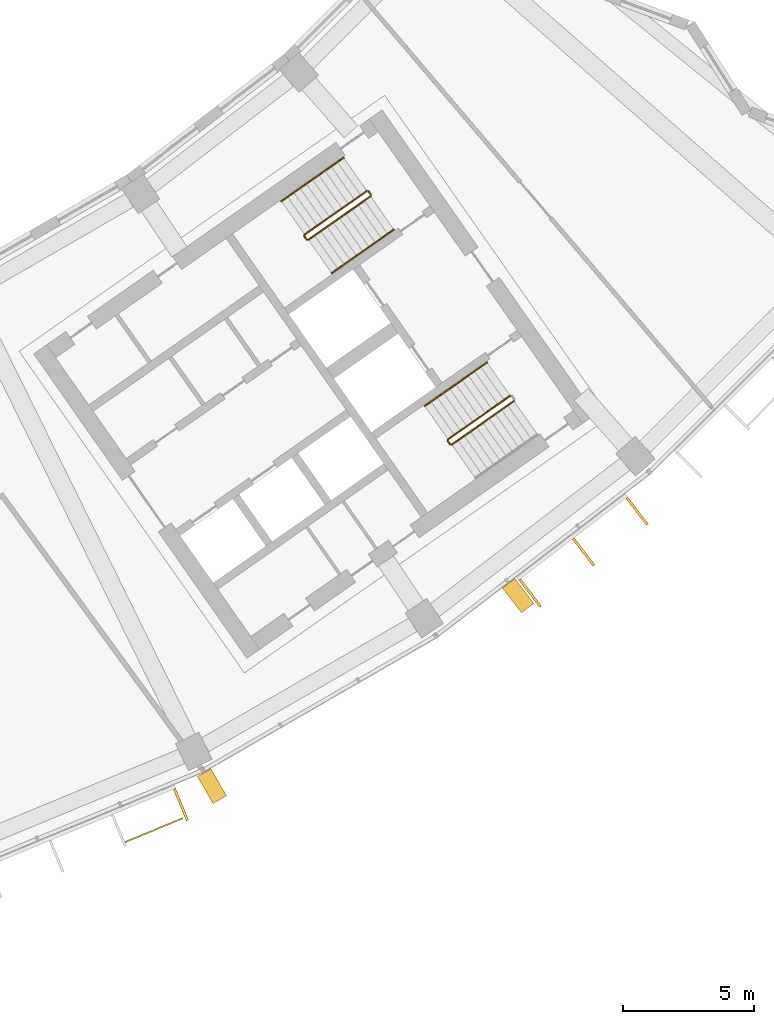
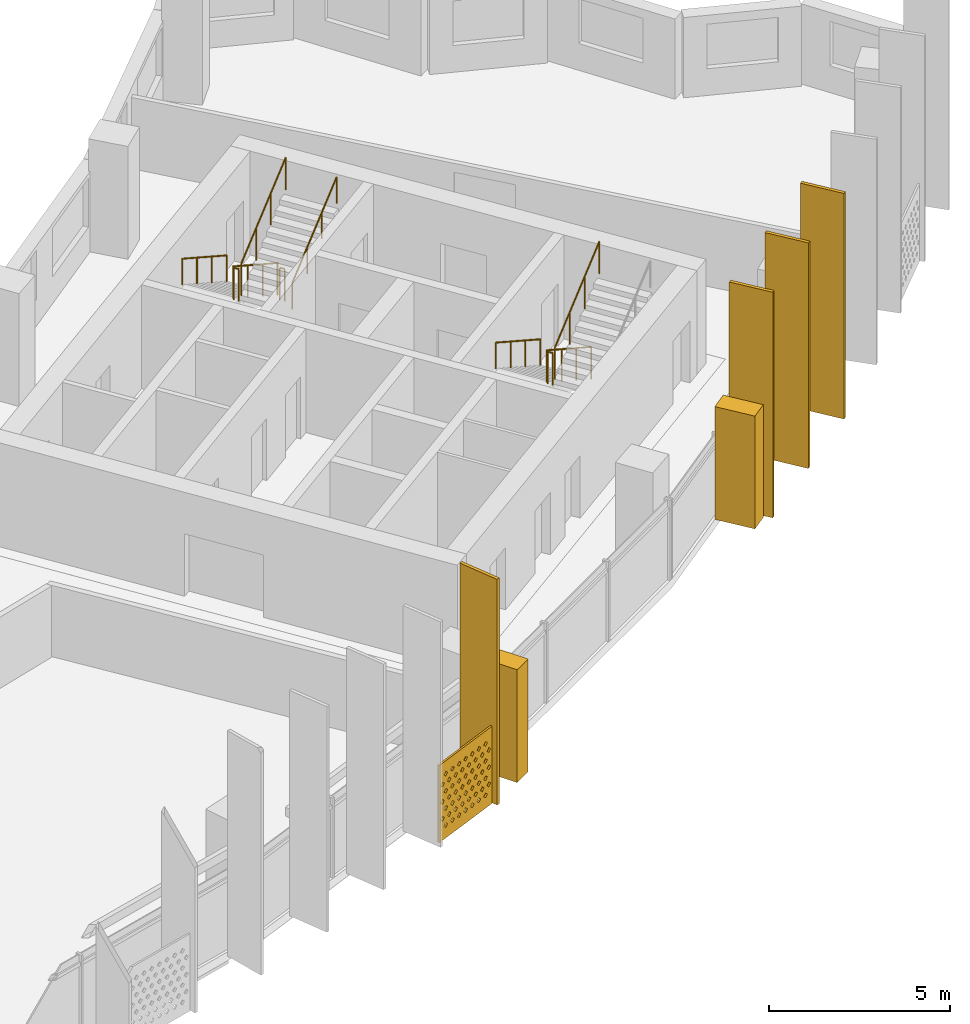
# One storey, part 27 of 28: 8 railings, 7 shading devices.
"""IFC4 building model written with IfcOpenShell, lengths in metres."""

from ifc_helpers import new_model, si_unit, direction, frame, origin, origin_2d, place, context, subcontext, project, spatial, polyline, rectangle, circle, outline, extrude, material, material_profile, profile_set, type_object, element, save


model = new_model("IFC4")

# Units and contexts
model_context = context("Model", 3, precision=1e-05, world=origin(), true_north=direction((0.0, 1.0)))
body_context = subcontext(model_context, "Body", "Model", "MODEL_VIEW")
ifc_project = project(units=[si_unit("LENGTHUNIT", "METRE"), si_unit("AREAUNIT", "SQUARE_METRE"), si_unit("VOLUMEUNIT", "CUBIC_METRE"), si_unit("PLANEANGLEUNIT", "RADIAN"), si_unit("MASSUNIT", "GRAM", prefix="KILO")], contexts=[model_context])

# Site, building, storey
site_placement = place(None, origin())
site = spatial("IfcSite", under=ifc_project, at=site_placement, CompositionType="ELEMENT")
building_placement = place(site_placement, origin())
building = spatial("IfcBuilding", under=site, at=building_placement, Name="Qamariyya Broadcast Tower", CompositionType="ELEMENT")
storey_placement = place(building_placement, frame((0.0, 0.0, 234.10009765625)))
storey = spatial("IfcBuildingStorey", under=building, at=storey_placement, Name="L56", CompositionType="ELEMENT", Elevation=234.10009765625)

# Shading devices
ifc_material_1 = material(Name="Steel S355 powder coated deep red", Category="steel")
shading_device_type_1 = type_object("IfcShadingDeviceType", Name="Deep red frame, powder coated steel box section", PredefinedType="USERDEFINED", material=ifc_material_1)
shading_device_1_placement = place(storey_placement, origin())
element("IfcShadingDevice", 1, at=shading_device_1_placement, inside=storey, type_object=shading_device_type_1, Name="e-frm-B4-F3-posta-L56", ObjectType="FRAME", PredefinedType="USERDEFINED", context=body_context, shape_type="SweptSolid", body=[
    extrude(outline(polyline([(34.526123046875, -70.68896484375), (35.126220703125, -71.728271484375), (35.645751953125, -71.42822265625), (35.0458984375, -70.38916015625), (34.526123046875, -70.68896484375)])), origin(), (0.0, 0.0, 1.0), 3.7998046875),
])
shading_device_2_placement = place(storey_placement, origin())
element("IfcShadingDevice", 2, at=shading_device_2_placement, inside=storey, type_object=shading_device_type_1, Name="e-frm-B4-F3-postb-L56", ObjectType="FRAME", PredefinedType="USERDEFINED", context=body_context, shape_type="SweptSolid", body=[
    extrude(outline(polyline([(46.17822265625, -63.489990234375), (46.90869140625, -64.442138671875), (47.384765625, -64.076904296875), (46.654296875, -63.124755859375), (46.17822265625, -63.489990234375)])), origin(), (0.0, 0.0, 1.0), 3.7998046875),
])
ifc_material_2 = material(Name="Perforated glazed terracotta", Category="masonry")
ifc_material_profile_1 = material_profile(ifc_material_2, outline(polyline([(-1.199951171875, -1.300048828125), (1.199951171875, -1.300048828125), (1.199951171875, 1.300048828125), (-1.199951171875, 1.300048828125), (-1.199951171875, -1.300048828125)]), holes=[polyline([(-0.81494140625, -0.86669921875), (-0.89990234375, -0.78173828125), (-0.985107421875, -0.86669921875), (-0.89990234375, -0.95166015625), (-0.81494140625, -0.86669921875)]), polyline([(-0.514892578125, -0.86669921875), (-0.60009765625, -0.78173828125), (-0.68505859375, -0.86669921875), (-0.60009765625, -0.95166015625), (-0.514892578125, -0.86669921875)]), polyline([(-0.215087890625, -0.86669921875), (-0.300048828125, -0.78173828125), (-0.385009765625, -0.86669921875), (-0.300048828125, -0.95166015625), (-0.215087890625, -0.86669921875)]), polyline([(0.0849609375, -0.86669921875), (0.0, -0.78173828125), (-0.0849609375, -0.86669921875), (0.0, -0.95166015625), (0.0849609375, -0.86669921875)]), polyline([(0.385009765625, -0.86669921875), (0.300048828125, -0.78173828125), (0.215087890625, -0.86669921875), (0.300048828125, -0.95166015625), (0.385009765625, -0.86669921875)]), polyline([(0.68505859375, -0.86669921875), (0.60009765625, -0.78173828125), (0.514892578125, -0.86669921875), (0.60009765625, -0.95166015625), (0.68505859375, -0.86669921875)]), polyline([(0.985107421875, -0.86669921875), (0.89990234375, -0.78173828125), (0.81494140625, -0.86669921875), (0.89990234375, -0.95166015625), (0.985107421875, -0.86669921875)]), polyline([(-0.965087890625, -0.577880859375), (-1.050048828125, -0.49267578125), (-1.135009765625, -0.577880859375), (-1.050048828125, -0.662841796875), (-0.965087890625, -0.577880859375)]), polyline([(-0.6650390625, -0.577880859375), (-0.75, -0.49267578125), (-0.8349609375, -0.577880859375), (-0.75, -0.662841796875), (-0.6650390625, -0.577880859375)]), polyline([(-0.364990234375, -0.577880859375), (-0.449951171875, -0.49267578125), (-0.534912109375, -0.577880859375), (-0.449951171875, -0.662841796875), (-0.364990234375, -0.577880859375)]), polyline([(-0.06494140625, -0.577880859375), (-0.14990234375, -0.49267578125), (-0.235107421875, -0.577880859375), (-0.14990234375, -0.662841796875), (-0.06494140625, -0.577880859375)]), polyline([(0.235107421875, -0.577880859375), (0.14990234375, -0.49267578125), (0.06494140625, -0.577880859375), (0.14990234375, -0.662841796875), (0.235107421875, -0.577880859375)]), polyline([(0.534912109375, -0.577880859375), (0.449951171875, -0.49267578125), (0.364990234375, -0.577880859375), (0.449951171875, -0.662841796875), (0.534912109375, -0.577880859375)]), polyline([(0.8349609375, -0.577880859375), (0.75, -0.49267578125), (0.6650390625, -0.577880859375), (0.75, -0.662841796875), (0.8349609375, -0.577880859375)]), polyline([(1.135009765625, -0.577880859375), (1.050048828125, -0.49267578125), (0.965087890625, -0.577880859375), (1.050048828125, -0.662841796875), (1.135009765625, -0.577880859375)]), polyline([(-0.81494140625, -0.288818359375), (-0.89990234375, -0.203857421875), (-0.985107421875, -0.288818359375), (-0.89990234375, -0.373779296875), (-0.81494140625, -0.288818359375)]), polyline([(-0.514892578125, -0.288818359375), (-0.60009765625, -0.203857421875), (-0.68505859375, -0.288818359375), (-0.60009765625, -0.373779296875), (-0.514892578125, -0.288818359375)]), polyline([(-0.215087890625, -0.288818359375), (-0.300048828125, -0.203857421875), (-0.385009765625, -0.288818359375), (-0.300048828125, -0.373779296875), (-0.215087890625, -0.288818359375)]), polyline([(0.0849609375, -0.288818359375), (0.0, -0.203857421875), (-0.0849609375, -0.288818359375), (0.0, -0.373779296875), (0.0849609375, -0.288818359375)]), polyline([(0.385009765625, -0.288818359375), (0.300048828125, -0.203857421875), (0.215087890625, -0.288818359375), (0.300048828125, -0.373779296875), (0.385009765625, -0.288818359375)]), polyline([(0.68505859375, -0.288818359375), (0.60009765625, -0.203857421875), (0.514892578125, -0.288818359375), (0.60009765625, -0.373779296875), (0.68505859375, -0.288818359375)]), polyline([(0.985107421875, -0.288818359375), (0.89990234375, -0.203857421875), (0.81494140625, -0.288818359375), (0.89990234375, -0.373779296875), (0.985107421875, -0.288818359375)]), polyline([(-0.965087890625, 0.0), (-1.050048828125, 0.0849609375), (-1.135009765625, 0.0), (-1.050048828125, -0.0849609375), (-0.965087890625, 0.0)]), polyline([(-0.6650390625, 0.0), (-0.75, 0.0849609375), (-0.8349609375, 0.0), (-0.75, -0.0849609375), (-0.6650390625, 0.0)]), polyline([(-0.364990234375, 0.0), (-0.449951171875, 0.0849609375), (-0.534912109375, 0.0), (-0.449951171875, -0.0849609375), (-0.364990234375, 0.0)]), polyline([(-0.06494140625, 0.0), (-0.14990234375, 0.0849609375), (-0.235107421875, 0.0), (-0.14990234375, -0.0849609375), (-0.06494140625, 0.0)]), polyline([(0.235107421875, 0.0), (0.14990234375, 0.0849609375), (0.06494140625, 0.0), (0.14990234375, -0.0849609375), (0.235107421875, 0.0)]), polyline([(0.534912109375, 0.0), (0.449951171875, 0.0849609375), (0.364990234375, 0.0), (0.449951171875, -0.0849609375), (0.534912109375, 0.0)]), polyline([(0.8349609375, 0.0), (0.75, 0.0849609375), (0.6650390625, 0.0), (0.75, -0.0849609375), (0.8349609375, 0.0)]), polyline([(1.135009765625, 0.0), (1.050048828125, 0.0849609375), (0.965087890625, 0.0), (1.050048828125, -0.0849609375), (1.135009765625, 0.0)]), polyline([(-0.81494140625, 0.288818359375), (-0.89990234375, 0.373779296875), (-0.985107421875, 0.288818359375), (-0.89990234375, 0.203857421875), (-0.81494140625, 0.288818359375)]), polyline([(-0.514892578125, 0.288818359375), (-0.60009765625, 0.373779296875), (-0.68505859375, 0.288818359375), (-0.60009765625, 0.203857421875), (-0.514892578125, 0.288818359375)]), polyline([(-0.215087890625, 0.288818359375), (-0.300048828125, 0.373779296875), (-0.385009765625, 0.288818359375), (-0.300048828125, 0.203857421875), (-0.215087890625, 0.288818359375)]), polyline([(0.0849609375, 0.288818359375), (0.0, 0.373779296875), (-0.0849609375, 0.288818359375), (0.0, 0.203857421875), (0.0849609375, 0.288818359375)]), polyline([(0.385009765625, 0.288818359375), (0.300048828125, 0.373779296875), (0.215087890625, 0.288818359375), (0.300048828125, 0.203857421875), (0.385009765625, 0.288818359375)]), polyline([(0.68505859375, 0.288818359375), (0.60009765625, 0.373779296875), (0.514892578125, 0.288818359375), (0.60009765625, 0.203857421875), (0.68505859375, 0.288818359375)]), polyline([(0.985107421875, 0.288818359375), (0.89990234375, 0.373779296875), (0.81494140625, 0.288818359375), (0.89990234375, 0.203857421875), (0.985107421875, 0.288818359375)]), polyline([(-0.965087890625, 0.577880859375), (-1.050048828125, 0.662841796875), (-1.135009765625, 0.577880859375), (-1.050048828125, 0.49267578125), (-0.965087890625, 0.577880859375)]), polyline([(-0.6650390625, 0.577880859375), (-0.75, 0.662841796875), (-0.8349609375, 0.577880859375), (-0.75, 0.49267578125), (-0.6650390625, 0.577880859375)]), polyline([(-0.364990234375, 0.577880859375), (-0.449951171875, 0.662841796875), (-0.534912109375, 0.577880859375), (-0.449951171875, 0.49267578125), (-0.364990234375, 0.577880859375)]), polyline([(-0.06494140625, 0.577880859375), (-0.14990234375, 0.662841796875), (-0.235107421875, 0.577880859375), (-0.14990234375, 0.49267578125), (-0.06494140625, 0.577880859375)]), polyline([(0.235107421875, 0.577880859375), (0.14990234375, 0.662841796875), (0.06494140625, 0.577880859375), (0.14990234375, 0.49267578125), (0.235107421875, 0.577880859375)]), polyline([(0.534912109375, 0.577880859375), (0.449951171875, 0.662841796875), (0.364990234375, 0.577880859375), (0.449951171875, 0.49267578125), (0.534912109375, 0.577880859375)]), polyline([(0.8349609375, 0.577880859375), (0.75, 0.662841796875), (0.6650390625, 0.577880859375), (0.75, 0.49267578125), (0.8349609375, 0.577880859375)]), polyline([(1.135009765625, 0.577880859375), (1.050048828125, 0.662841796875), (0.965087890625, 0.577880859375), (1.050048828125, 0.49267578125), (1.135009765625, 0.577880859375)]), polyline([(-0.81494140625, 0.86669921875), (-0.89990234375, 0.95166015625), (-0.985107421875, 0.86669921875), (-0.89990234375, 0.78173828125), (-0.81494140625, 0.86669921875)]), polyline([(-0.514892578125, 0.86669921875), (-0.60009765625, 0.95166015625), (-0.68505859375, 0.86669921875), (-0.60009765625, 0.78173828125), (-0.514892578125, 0.86669921875)]), polyline([(-0.215087890625, 0.86669921875), (-0.300048828125, 0.95166015625), (-0.385009765625, 0.86669921875), (-0.300048828125, 0.78173828125), (-0.215087890625, 0.86669921875)]), polyline([(0.0849609375, 0.86669921875), (0.0, 0.95166015625), (-0.0849609375, 0.86669921875), (0.0, 0.78173828125), (0.0849609375, 0.86669921875)]), polyline([(0.385009765625, 0.86669921875), (0.300048828125, 0.95166015625), (0.215087890625, 0.86669921875), (0.300048828125, 0.78173828125), (0.385009765625, 0.86669921875)]), polyline([(0.68505859375, 0.86669921875), (0.60009765625, 0.95166015625), (0.514892578125, 0.86669921875), (0.60009765625, 0.78173828125), (0.68505859375, 0.86669921875)]), polyline([(0.985107421875, 0.86669921875), (0.89990234375, 0.95166015625), (0.81494140625, 0.86669921875), (0.89990234375, 0.78173828125), (0.985107421875, 0.86669921875)])]))
ifc_profile_set_1 = profile_set([ifc_material_profile_1], Name="Perforated glazed terracotta")
shading_device_type_2 = type_object("IfcShadingDeviceType", Name="Perforated terracotta screen 2400 x 2600", PredefinedType="USERDEFINED", material=ifc_profile_set_1)
shading_device_3_placement = place(storey_placement, frame((32.862548828125, -72.71044921875, 1.349853515625), z_axis=(0.382591441855, -0.923917630863, 0.0), x_axis=(0.923917630863, 0.382591441855, 0.0)))
element("IfcShadingDevice", 3, at=shading_device_3_placement, inside=storey, type_object=shading_device_type_2, Name="e-scr-L56-11-2", ObjectType="SCREEN", PredefinedType="USERDEFINED", context=body_context, shape_type="SweptSolid", body=[
    extrude(outline(polyline([(-1.199951171875, -1.300048828125), (1.199951171875, -1.300048828125), (1.199951171875, 1.300048828125), (-1.199951171875, 1.300048828125), (-1.199951171875, -1.300048828125)]), holes=[polyline([(-0.81494140625, -0.86669921875), (-0.89990234375, -0.78173828125), (-0.985107421875, -0.86669921875), (-0.89990234375, -0.95166015625), (-0.81494140625, -0.86669921875)]), polyline([(-0.514892578125, -0.86669921875), (-0.60009765625, -0.78173828125), (-0.68505859375, -0.86669921875), (-0.60009765625, -0.95166015625), (-0.514892578125, -0.86669921875)]), polyline([(-0.215087890625, -0.86669921875), (-0.300048828125, -0.78173828125), (-0.385009765625, -0.86669921875), (-0.300048828125, -0.95166015625), (-0.215087890625, -0.86669921875)]), polyline([(0.0849609375, -0.86669921875), (0.0, -0.78173828125), (-0.0849609375, -0.86669921875), (0.0, -0.95166015625), (0.0849609375, -0.86669921875)]), polyline([(0.385009765625, -0.86669921875), (0.300048828125, -0.78173828125), (0.215087890625, -0.86669921875), (0.300048828125, -0.95166015625), (0.385009765625, -0.86669921875)]), polyline([(0.68505859375, -0.86669921875), (0.60009765625, -0.78173828125), (0.514892578125, -0.86669921875), (0.60009765625, -0.95166015625), (0.68505859375, -0.86669921875)]), polyline([(0.985107421875, -0.86669921875), (0.89990234375, -0.78173828125), (0.81494140625, -0.86669921875), (0.89990234375, -0.95166015625), (0.985107421875, -0.86669921875)]), polyline([(-0.965087890625, -0.577880859375), (-1.050048828125, -0.49267578125), (-1.135009765625, -0.577880859375), (-1.050048828125, -0.662841796875), (-0.965087890625, -0.577880859375)]), polyline([(-0.6650390625, -0.577880859375), (-0.75, -0.49267578125), (-0.8349609375, -0.577880859375), (-0.75, -0.662841796875), (-0.6650390625, -0.577880859375)]), polyline([(-0.364990234375, -0.577880859375), (-0.449951171875, -0.49267578125), (-0.534912109375, -0.577880859375), (-0.449951171875, -0.662841796875), (-0.364990234375, -0.577880859375)]), polyline([(-0.06494140625, -0.577880859375), (-0.14990234375, -0.49267578125), (-0.235107421875, -0.577880859375), (-0.14990234375, -0.662841796875), (-0.06494140625, -0.577880859375)]), polyline([(0.235107421875, -0.577880859375), (0.14990234375, -0.49267578125), (0.06494140625, -0.577880859375), (0.14990234375, -0.662841796875), (0.235107421875, -0.577880859375)]), polyline([(0.534912109375, -0.577880859375), (0.449951171875, -0.49267578125), (0.364990234375, -0.577880859375), (0.449951171875, -0.662841796875), (0.534912109375, -0.577880859375)]), polyline([(0.8349609375, -0.577880859375), (0.75, -0.49267578125), (0.6650390625, -0.577880859375), (0.75, -0.662841796875), (0.8349609375, -0.577880859375)]), polyline([(1.135009765625, -0.577880859375), (1.050048828125, -0.49267578125), (0.965087890625, -0.577880859375), (1.050048828125, -0.662841796875), (1.135009765625, -0.577880859375)]), polyline([(-0.81494140625, -0.288818359375), (-0.89990234375, -0.203857421875), (-0.985107421875, -0.288818359375), (-0.89990234375, -0.373779296875), (-0.81494140625, -0.288818359375)]), polyline([(-0.514892578125, -0.288818359375), (-0.60009765625, -0.203857421875), (-0.68505859375, -0.288818359375), (-0.60009765625, -0.373779296875), (-0.514892578125, -0.288818359375)]), polyline([(-0.215087890625, -0.288818359375), (-0.300048828125, -0.203857421875), (-0.385009765625, -0.288818359375), (-0.300048828125, -0.373779296875), (-0.215087890625, -0.288818359375)]), polyline([(0.0849609375, -0.288818359375), (0.0, -0.203857421875), (-0.0849609375, -0.288818359375), (0.0, -0.373779296875), (0.0849609375, -0.288818359375)]), polyline([(0.385009765625, -0.288818359375), (0.300048828125, -0.203857421875), (0.215087890625, -0.288818359375), (0.300048828125, -0.373779296875), (0.385009765625, -0.288818359375)]), polyline([(0.68505859375, -0.288818359375), (0.60009765625, -0.203857421875), (0.514892578125, -0.288818359375), (0.60009765625, -0.373779296875), (0.68505859375, -0.288818359375)]), polyline([(0.985107421875, -0.288818359375), (0.89990234375, -0.203857421875), (0.81494140625, -0.288818359375), (0.89990234375, -0.373779296875), (0.985107421875, -0.288818359375)]), polyline([(-0.965087890625, 0.0), (-1.050048828125, 0.0849609375), (-1.135009765625, 0.0), (-1.050048828125, -0.0849609375), (-0.965087890625, 0.0)]), polyline([(-0.6650390625, 0.0), (-0.75, 0.0849609375), (-0.8349609375, 0.0), (-0.75, -0.0849609375), (-0.6650390625, 0.0)]), polyline([(-0.364990234375, 0.0), (-0.449951171875, 0.0849609375), (-0.534912109375, 0.0), (-0.449951171875, -0.0849609375), (-0.364990234375, 0.0)]), polyline([(-0.06494140625, 0.0), (-0.14990234375, 0.0849609375), (-0.235107421875, 0.0), (-0.14990234375, -0.0849609375), (-0.06494140625, 0.0)]), polyline([(0.235107421875, 0.0), (0.14990234375, 0.0849609375), (0.06494140625, 0.0), (0.14990234375, -0.0849609375), (0.235107421875, 0.0)]), polyline([(0.534912109375, 0.0), (0.449951171875, 0.0849609375), (0.364990234375, 0.0), (0.449951171875, -0.0849609375), (0.534912109375, 0.0)]), polyline([(0.8349609375, 0.0), (0.75, 0.0849609375), (0.6650390625, 0.0), (0.75, -0.0849609375), (0.8349609375, 0.0)]), polyline([(1.135009765625, 0.0), (1.050048828125, 0.0849609375), (0.965087890625, 0.0), (1.050048828125, -0.0849609375), (1.135009765625, 0.0)]), polyline([(-0.81494140625, 0.288818359375), (-0.89990234375, 0.373779296875), (-0.985107421875, 0.288818359375), (-0.89990234375, 0.203857421875), (-0.81494140625, 0.288818359375)]), polyline([(-0.514892578125, 0.288818359375), (-0.60009765625, 0.373779296875), (-0.68505859375, 0.288818359375), (-0.60009765625, 0.203857421875), (-0.514892578125, 0.288818359375)]), polyline([(-0.215087890625, 0.288818359375), (-0.300048828125, 0.373779296875), (-0.385009765625, 0.288818359375), (-0.300048828125, 0.203857421875), (-0.215087890625, 0.288818359375)]), polyline([(0.0849609375, 0.288818359375), (0.0, 0.373779296875), (-0.0849609375, 0.288818359375), (0.0, 0.203857421875), (0.0849609375, 0.288818359375)]), polyline([(0.385009765625, 0.288818359375), (0.300048828125, 0.373779296875), (0.215087890625, 0.288818359375), (0.300048828125, 0.203857421875), (0.385009765625, 0.288818359375)]), polyline([(0.68505859375, 0.288818359375), (0.60009765625, 0.373779296875), (0.514892578125, 0.288818359375), (0.60009765625, 0.203857421875), (0.68505859375, 0.288818359375)]), polyline([(0.985107421875, 0.288818359375), (0.89990234375, 0.373779296875), (0.81494140625, 0.288818359375), (0.89990234375, 0.203857421875), (0.985107421875, 0.288818359375)]), polyline([(-0.965087890625, 0.577880859375), (-1.050048828125, 0.662841796875), (-1.135009765625, 0.577880859375), (-1.050048828125, 0.49267578125), (-0.965087890625, 0.577880859375)]), polyline([(-0.6650390625, 0.577880859375), (-0.75, 0.662841796875), (-0.8349609375, 0.577880859375), (-0.75, 0.49267578125), (-0.6650390625, 0.577880859375)]), polyline([(-0.364990234375, 0.577880859375), (-0.449951171875, 0.662841796875), (-0.534912109375, 0.577880859375), (-0.449951171875, 0.49267578125), (-0.364990234375, 0.577880859375)]), polyline([(-0.06494140625, 0.577880859375), (-0.14990234375, 0.662841796875), (-0.235107421875, 0.577880859375), (-0.14990234375, 0.49267578125), (-0.06494140625, 0.577880859375)]), polyline([(0.235107421875, 0.577880859375), (0.14990234375, 0.662841796875), (0.06494140625, 0.577880859375), (0.14990234375, 0.49267578125), (0.235107421875, 0.577880859375)]), polyline([(0.534912109375, 0.577880859375), (0.449951171875, 0.662841796875), (0.364990234375, 0.577880859375), (0.449951171875, 0.49267578125), (0.534912109375, 0.577880859375)]), polyline([(0.8349609375, 0.577880859375), (0.75, 0.662841796875), (0.6650390625, 0.577880859375), (0.75, 0.49267578125), (0.8349609375, 0.577880859375)]), polyline([(1.135009765625, 0.577880859375), (1.050048828125, 0.662841796875), (0.965087890625, 0.577880859375), (1.050048828125, 0.49267578125), (1.135009765625, 0.577880859375)]), polyline([(-0.81494140625, 0.86669921875), (-0.89990234375, 0.95166015625), (-0.985107421875, 0.86669921875), (-0.89990234375, 0.78173828125), (-0.81494140625, 0.86669921875)]), polyline([(-0.514892578125, 0.86669921875), (-0.60009765625, 0.95166015625), (-0.68505859375, 0.86669921875), (-0.60009765625, 0.78173828125), (-0.514892578125, 0.86669921875)]), polyline([(-0.215087890625, 0.86669921875), (-0.300048828125, 0.95166015625), (-0.385009765625, 0.86669921875), (-0.300048828125, 0.78173828125), (-0.215087890625, 0.86669921875)]), polyline([(0.0849609375, 0.86669921875), (0.0, 0.95166015625), (-0.0849609375, 0.86669921875), (0.0, 0.78173828125), (0.0849609375, 0.86669921875)]), polyline([(0.385009765625, 0.86669921875), (0.300048828125, 0.95166015625), (0.215087890625, 0.86669921875), (0.300048828125, 0.78173828125), (0.385009765625, 0.86669921875)]), polyline([(0.68505859375, 0.86669921875), (0.60009765625, 0.95166015625), (0.514892578125, 0.86669921875), (0.60009765625, 0.78173828125), (0.68505859375, 0.86669921875)]), polyline([(0.985107421875, 0.86669921875), (0.89990234375, 0.95166015625), (0.81494140625, 0.86669921875), (0.89990234375, 0.78173828125), (0.985107421875, 0.86669921875)])]), origin(), (0.0, 0.0, 1.0), 0.06005859375),
])

# Railings
ifc_material_3 = material(Name="Painted steel", Category="steel")
railing_type_1 = type_object("IfcRailingType", Name="Stair guard", PredefinedType="GUARDRAIL", material=ifc_material_3)
railing_1_placement = place(storey_placement, frame((41.003173828125, -48.320068359375, 0.172607421875)))
element("IfcRailing", 4, at=railing_1_placement, inside=storey, type_object=railing_type_1, Name="L56 ST-E2 stair guard 1", PredefinedType="GUARDRAIL", context=body_context, shape_type="SweptSolid", body=[
    extrude(circle(Radius=0.02392578125, at=origin_2d()), frame((0.0, 0.0, 1.076171875), z_axis=(-0.703770094002, -0.492783725636, 0.511734163933), x_axis=(0.573575343427, -0.819152809562, 0.0)), (0.0, 0.0, 1.0), 3.37548828125),
    extrude(circle(Radius=0.02392578125, at=origin_2d()), frame((-2.37548828125, -1.663330078125, 2.80322265625), z_axis=(-0.172799478008, -0.984957024646, 0.0), x_axis=(0.984957024646, -0.172799478008, 0.0)), (0.0, 0.0, 1.0), 0.070556640625),
    extrude(circle(Radius=0.02392578125, at=origin_2d()), frame((-2.3876953125, -1.73291015625, 2.80322265625), z_axis=(0.572588637393, -0.819842821722, 0.0), x_axis=(0.819842821722, 0.572588637393, 0.0)), (0.0, 0.0, 1.0), 0.150146484375),
    extrude(circle(Radius=0.02099609375, at=origin_2d()), origin(), (0.0, 0.0, 1.0), 1.052001953125),
    extrude(circle(Radius=0.02099609375, at=origin_2d()), frame((-0.791748046875, -0.554443359375, 0.57568359375)), (0.0, 0.0, 1.0), 1.052001953125),
    extrude(circle(Radius=0.02099609375, at=origin_2d()), frame((-1.583740234375, -1.10888671875, 1.151611328125)), (0.0, 0.0, 1.0), 1.052001953125),
    extrude(circle(Radius=0.02099609375, at=origin_2d()), frame((-2.37548828125, -1.663330078125, 1.727294921875)), (0.0, 0.0, 1.0), 1.052001953125),
    extrude(circle(Radius=0.02099609375, at=origin_2d()), frame((-2.3876953125, -1.73291015625, 1.727294921875)), (0.0, 0.0, 1.0), 1.052001953125),
    extrude(circle(Radius=0.02099609375, at=origin_2d()), frame((-2.3017578125, -1.85595703125, 1.727294921875)), (0.0, 0.0, 1.0), 1.052001953125),
])
railing_2_placement = place(storey_placement, frame((38.771240234375, -50.188232421875, 2.072509765625)))
element("IfcRailing", 5, at=railing_2_placement, inside=storey, type_object=railing_type_1, Name="L56 ST-E2 stair guard 2", PredefinedType="GUARDRAIL", context=body_context, shape_type="SweptSolid", body=[
    extrude(circle(Radius=0.02392578125, at=origin_2d()), frame((0.0, 0.0, 1.076171875), z_axis=(0.703770094002, 0.492783725636, 0.511734163933), x_axis=(-0.573575343427, 0.819152809562, 0.0)), (0.0, 0.0, 1.0), 3.37548828125),
    extrude(circle(Radius=0.02099609375, at=origin_2d()), origin(), (0.0, 0.0, 1.0), 1.052001953125),
    extrude(circle(Radius=0.02099609375, at=origin_2d()), frame((0.791748046875, 0.554443359375, 0.57568359375)), (0.0, 0.0, 1.0), 1.052001953125),
    extrude(circle(Radius=0.02099609375, at=origin_2d()), frame((1.583740234375, 1.10888671875, 1.151611328125)), (0.0, 0.0, 1.0), 1.052001953125),
    extrude(circle(Radius=0.02099609375, at=origin_2d()), frame((2.37548828125, 1.663330078125, 1.727294921875)), (0.0, 0.0, 1.0), 1.052001953125),
])
railing_3_placement = place(storey_placement, frame((41.072998046875, -48.332275390625, 0.0)))
element("IfcRailing", 6, at=railing_3_placement, inside=storey, type_object=railing_type_1, Name="L56 ST-E2 stair guard 3", PredefinedType="GUARDRAIL", context=body_context, shape_type="SweptSolid", body=[
    extrude(circle(Radius=0.02392578125, at=origin_2d()), frame((0.0, 0.0, 1.076171875), z_axis=(0.572588637393, -0.819842821722, 0.0), x_axis=(0.819842821722, 0.572588637393, 0.0)), (0.0, 0.0, 1.0), 0.150146484375),
    extrude(circle(Radius=0.02099609375, at=origin_2d()), origin(), (0.0, 0.0, 1.0), 1.052001953125),
    extrude(circle(Radius=0.02099609375, at=origin_2d()), frame((0.0859375, -0.123046875, 0.0)), (0.0, 0.0, 1.0), 1.052001953125),
])
railing_4_placement = place(storey_placement, frame((46.48095703125, -56.14306640625, 0.172607421875)))
element("IfcRailing", 7, at=railing_4_placement, inside=storey, type_object=railing_type_1, Name="L56 ST-E1 stair guard 1", PredefinedType="GUARDRAIL", context=body_context, shape_type="SweptSolid", body=[
    extrude(circle(Radius=0.02392578125, at=origin_2d()), frame((0.0, 0.0, 1.076171875), z_axis=(-0.703770094002, -0.492783725636, 0.511734163933), x_axis=(0.573575343427, -0.819152809562, 0.0)), (0.0, 0.0, 1.0), 3.37548828125),
    extrude(circle(Radius=0.02392578125, at=origin_2d()), frame((-2.37548828125, -1.663330078125, 2.80322265625), z_axis=(-0.176149252506, -0.984363469884, 0.0), x_axis=(0.984363469884, -0.176149252506, 0.0)), (0.0, 0.0, 1.0), 0.07080078125),
    extrude(circle(Radius=0.02392578125, at=origin_2d()), frame((-2.387939453125, -1.73291015625, 2.80322265625), z_axis=(0.574444878118, -0.818543268254, 0.0), x_axis=(0.818543268254, 0.574444878118, 0.0)), (0.0, 0.0, 1.0), 0.150146484375),
    extrude(circle(Radius=0.02099609375, at=origin_2d()), origin(), (0.0, 0.0, 1.0), 1.052001953125),
    extrude(circle(Radius=0.02099609375, at=origin_2d()), frame((-0.791748046875, -0.554443359375, 0.57568359375)), (0.0, 0.0, 1.0), 1.052001953125),
    extrude(circle(Radius=0.02099609375, at=origin_2d()), frame((-1.583740234375, -1.10888671875, 1.151611328125)), (0.0, 0.0, 1.0), 1.052001953125),
    extrude(circle(Radius=0.02099609375, at=origin_2d()), frame((-2.37548828125, -1.663330078125, 1.727294921875)), (0.0, 0.0, 1.0), 1.052001953125),
    extrude(circle(Radius=0.02099609375, at=origin_2d()), frame((-2.387939453125, -1.73291015625, 1.727294921875)), (0.0, 0.0, 1.0), 1.052001953125),
    extrude(circle(Radius=0.02099609375, at=origin_2d()), frame((-2.3017578125, -1.855712890625, 1.727294921875)), (0.0, 0.0, 1.0), 1.052001953125),
])
railing_5_placement = place(storey_placement, frame((44.248779296875, -58.01123046875, 2.072509765625)))
element("IfcRailing", 8, at=railing_5_placement, inside=storey, type_object=railing_type_1, Name="L56 ST-E1 stair guard 2", PredefinedType="GUARDRAIL", context=body_context, shape_type="SweptSolid", body=[
    extrude(circle(Radius=0.02392578125, at=origin_2d()), frame((0.0, 0.0, 1.076171875), z_axis=(0.703745009021, 0.492838488332, 0.511715923826), x_axis=(-0.573631830683, 0.819113253969, 0.0)), (0.0, 0.0, 1.0), 3.37548828125),
    extrude(circle(Radius=0.02099609375, at=origin_2d()), origin(), (0.0, 0.0, 1.0), 1.052001953125),
    extrude(circle(Radius=0.02099609375, at=origin_2d()), frame((0.791748046875, 0.554443359375, 0.57568359375)), (0.0, 0.0, 1.0), 1.052001953125),
    extrude(circle(Radius=0.02099609375, at=origin_2d()), frame((1.583740234375, 1.109130859375, 1.151611328125)), (0.0, 0.0, 1.0), 1.052001953125),
    extrude(circle(Radius=0.02099609375, at=origin_2d()), frame((2.37548828125, 1.66357421875, 1.727294921875)), (0.0, 0.0, 1.0), 1.052001953125),
])
ifc_material_4 = material(Name="Stainless steel", Category="steel")
railing_type_2 = type_object("IfcRailingType", Name="Stair handrail", PredefinedType="HANDRAIL", material=ifc_material_4)
railing_6_placement = place(storey_placement, frame((40.1142578125, -47.05029296875, 0.172607421875)))
element("IfcRailing", 9, at=railing_6_placement, inside=storey, type_object=railing_type_2, Name="L56 ST-E2 stair handrail 1", PredefinedType="HANDRAIL", context=body_context, shape_type="SweptSolid", body=[
    extrude(circle(Radius=0.02392578125, at=origin_2d()), frame((0.0, 0.0, 0.8759765625), z_axis=(-0.703745009021, -0.492838488332, 0.511715923826), x_axis=(0.573631830683, -0.819113253969, 0.0)), (0.0, 0.0, 1.0), 3.37548828125),
    extrude(circle(Radius=0.02099609375, at=origin_2d()), origin(), (0.0, 0.0, 1.0), 0.851806640625),
    extrude(circle(Radius=0.02099609375, at=origin_2d()), frame((-0.791748046875, -0.554443359375, 0.57568359375)), (0.0, 0.0, 1.0), 0.851806640625),
    extrude(circle(Radius=0.02099609375, at=origin_2d()), frame((-1.583740234375, -1.109130859375, 1.151611328125)), (0.0, 0.0, 1.0), 0.851806640625),
    extrude(circle(Radius=0.02099609375, at=origin_2d()), frame((-2.37548828125, -1.66357421875, 1.727294921875)), (0.0, 0.0, 1.0), 0.851806640625),
])
railing_7_placement = place(storey_placement, frame((39.66015625, -51.4580078125, 2.072509765625)))
element("IfcRailing", 10, at=railing_7_placement, inside=storey, type_object=railing_type_2, Name="L56 ST-E2 stair handrail 2", PredefinedType="HANDRAIL", context=body_context, shape_type="SweptSolid", body=[
    extrude(circle(Radius=0.02392578125, at=origin_2d()), frame((0.0, 0.0, 0.8759765625), z_axis=(0.703745009021, 0.492838488332, 0.511715923826), x_axis=(-0.573631830683, 0.819113253969, 0.0)), (0.0, 0.0, 1.0), 3.37548828125),
    extrude(circle(Radius=0.02099609375, at=origin_2d()), origin(), (0.0, 0.0, 1.0), 0.851806640625),
    extrude(circle(Radius=0.02099609375, at=origin_2d()), frame((0.791748046875, 0.554443359375, 0.57568359375)), (0.0, 0.0, 1.0), 0.851806640625),
    extrude(circle(Radius=0.02099609375, at=origin_2d()), frame((1.583740234375, 1.109130859375, 1.151611328125)), (0.0, 0.0, 1.0), 0.851806640625),
    extrude(circle(Radius=0.02099609375, at=origin_2d()), frame((2.37548828125, 1.66357421875, 1.727294921875)), (0.0, 0.0, 1.0), 0.851806640625),
])
railing_8_placement = place(storey_placement, frame((45.591796875, -54.873291015625, 0.172607421875)))
element("IfcRailing", 11, at=railing_8_placement, inside=storey, type_object=railing_type_2, Name="L56 ST-E1 stair handrail 1", PredefinedType="HANDRAIL", context=body_context, shape_type="SweptSolid", body=[
    extrude(circle(Radius=0.02392578125, at=origin_2d()), frame((0.0, 0.0, 0.8759765625), z_axis=(-0.703770094002, -0.492783725636, 0.511734163933), x_axis=(0.573575343427, -0.819152809562, 0.0)), (0.0, 0.0, 1.0), 3.37548828125),
    extrude(circle(Radius=0.02099609375, at=origin_2d()), origin(), (0.0, 0.0, 1.0), 0.851806640625),
    extrude(circle(Radius=0.02099609375, at=origin_2d()), frame((-0.791748046875, -0.554443359375, 0.57568359375)), (0.0, 0.0, 1.0), 0.851806640625),
    extrude(circle(Radius=0.02099609375, at=origin_2d()), frame((-1.583740234375, -1.10888671875, 1.151611328125)), (0.0, 0.0, 1.0), 0.851806640625),
    extrude(circle(Radius=0.02099609375, at=origin_2d()), frame((-2.37548828125, -1.663330078125, 1.727294921875)), (0.0, 0.0, 1.0), 0.851806640625),
])

# Shading devices
ifc_material_5 = material(Name="Glazed terracotta", Category="masonry")
ifc_material_profile_2 = material_profile(ifc_material_5, rectangle(XDim=1.300048828125, YDim=0.10009765625, at=origin_2d()))
ifc_profile_set_2 = profile_set([ifc_material_profile_2], Name="Glazed terracotta")
shading_device_type_3 = type_object("IfcShadingDeviceType", Name="Terracotta fin 100 x 1300", PredefinedType="USERDEFINED", material=ifc_profile_set_2)
for number, where, z_axis, x_axis, name in (
    (12, (33.904052734375, -71.770263671875, 0.0), (0.0, 0.0, 1.0), (0.382683432365, -0.923879532511, 0.0), "e-fin-L56-11-3"),
    (13, (47.243408203125, -63.68115234375, 0.0), (0.0, 0.0, 1.0), (0.608761429009, -0.793353340291, 0.0), "e-fin-L56-13-1"),
    (14, (49.283935546875, -62.115478515625, 0.0), (0.0, 0.0, 1.0), (0.608761429009, -0.793353340291, 0.0), "e-fin-L56-13-2"),
    (15, (51.32421875, -60.5498046875, 0.0), (0.0, 0.0, 1.0), (0.608761429009, -0.793353340291, 0.0), "e-fin-L56-13-3"),
):
    element("IfcShadingDevice", number, at=place(storey_placement, frame(where, z_axis=z_axis, x_axis=x_axis)), inside=storey, type_object=shading_device_type_3, Name=name, ObjectType="FIN", PredefinedType="USERDEFINED", context=body_context, shape_type="SweptSolid", body=[
        extrude(rectangle(XDim=1.300048828125, YDim=0.10009765625, at=origin_2d()), origin(), (0.0, 0.0, 1.0), 7.599853515625),
    ])

save(model, "model.ifc")
